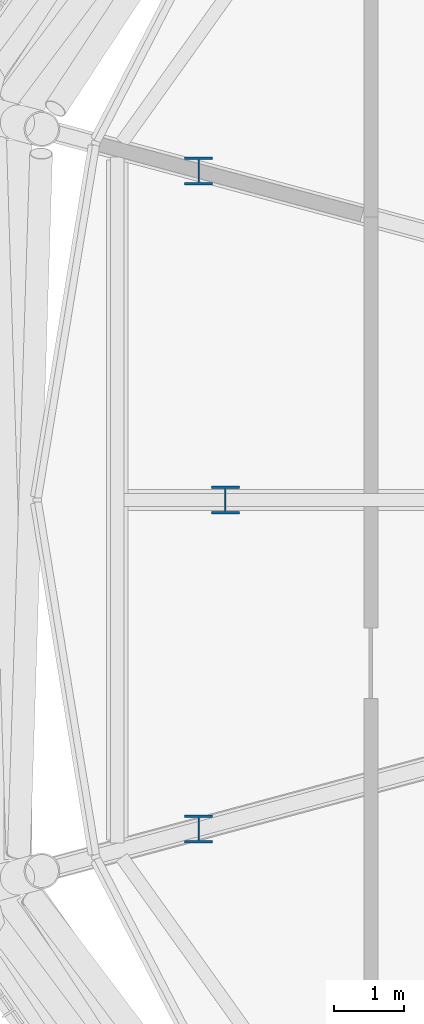
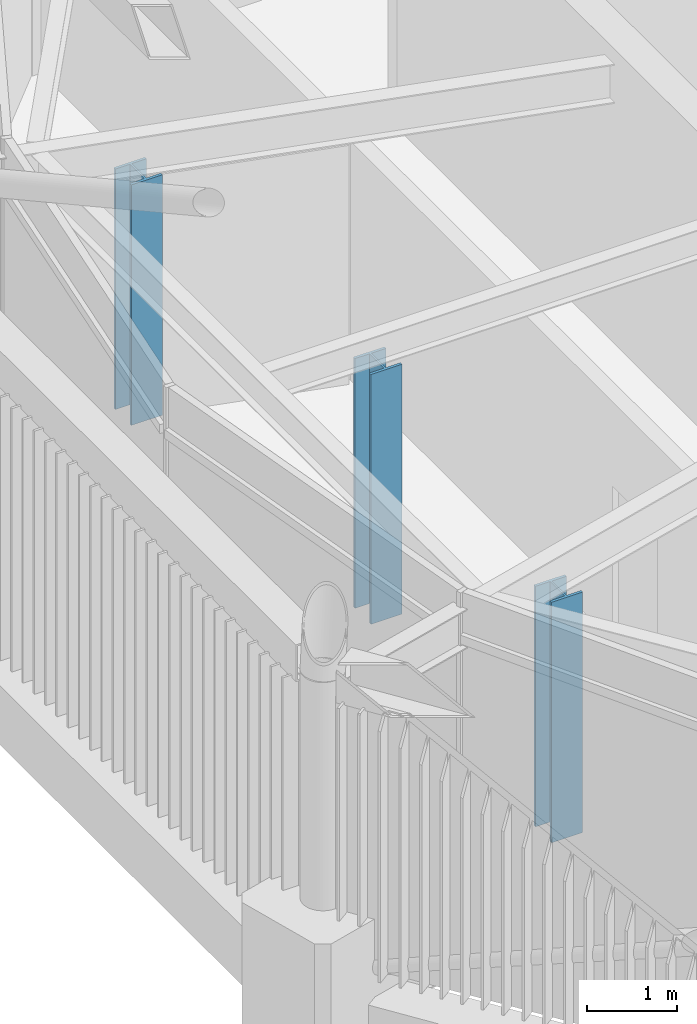
# One storey, part 1 of 71: 3 columns.
"""IFC4 building model written with IfcOpenShell, lengths in metres."""

from ifc_helpers import new_model, si_unit, direction, frame, origin, origin_2d, place, context, subcontext, project, spatial, i_section, extrude, material, material_profile, profile_set, type_object, element, save


model = new_model("IFC4")

# Units and contexts
model_context = context("Model", 3, precision=1e-05, world=origin(), true_north=direction((0.0, 1.0)))
body_context = subcontext(model_context, "Body", "Model", "MODEL_VIEW")
ifc_project = project(units=[si_unit("LENGTHUNIT", "METRE"), si_unit("AREAUNIT", "SQUARE_METRE"), si_unit("VOLUMEUNIT", "CUBIC_METRE"), si_unit("PLANEANGLEUNIT", "RADIAN"), si_unit("MASSUNIT", "GRAM", prefix="KILO")], contexts=[model_context])

# Site, building, storey
site_placement = place(None, origin())
site = spatial("IfcSite", under=ifc_project, at=site_placement, CompositionType="ELEMENT")
building_placement = place(site_placement, origin())
building = spatial("IfcBuilding", under=site, at=building_placement, Name="Rimbun Link Towers", CompositionType="ELEMENT")
storey_placement = place(building_placement, frame((0.0, 0.0, 267.60009765625)))
storey = spatial("IfcBuildingStorey", under=building, at=storey_placement, Name="L65", CompositionType="ELEMENT", Elevation=267.60009765625)

# Columns
ifc_material = material(Name="Steel S355J2", Category="steel")
ifc_material_profile = material_profile(ifc_material, i_section(OverallWidth=0.39892578125, OverallDepth=0.3935546875, WebThickness=0.022705078125, FlangeThickness=0.03662109375, at=origin_2d()), Name="UC 356x406x287")
ifc_profile_set = profile_set([ifc_material_profile], Name="Steel S355J2")
column_type = type_object("IfcColumnType", Name="UC 356x406x287", PredefinedType="COLUMN", material=ifc_profile_set)
column_1_placement = place(storey_placement, frame((-49.197998046875, 4.67529296875, 0.0), z_axis=(0.0, 0.0, 1.0), x_axis=(1.0, 0.0, 0.0)))
element("IfcColumn", 1, at=column_1_placement, inside=storey, type_object=column_type, Name="Crease post T1 L64 11", PredefinedType="COLUMN", context=body_context, shape_type="SweptSolid", body=[
    extrude(i_section(OverallWidth=0.39892578125, OverallDepth=0.3935546875, WebThickness=0.022705078125, FlangeThickness=0.03662109375, at=origin_2d()), origin(), (0.0, 0.0, 1.0), 3.266845703125),
])
column_2_placement = place(storey_placement, frame((-48.818603515625, 0.0, 0.0), z_axis=(0.0, 0.0, 1.0), x_axis=(1.0, 0.0, 0.0)))
element("IfcColumn", 2, at=column_2_placement, inside=storey, type_object=column_type, Name="Crease post T1 L64 12", PredefinedType="COLUMN", context=body_context, shape_type="SweptSolid", body=[
    extrude(i_section(OverallWidth=0.39892578125, OverallDepth=0.3935546875, WebThickness=0.022705078125, FlangeThickness=0.03662109375, at=origin_2d()), origin(), (0.0, 0.0, 1.0), 3.3935546875),
])
column_3_placement = place(storey_placement, frame((-49.197998046875, -4.67529296875, 0.0), z_axis=(0.0, 0.0, 1.0), x_axis=(1.0, 0.0, 0.0)))
element("IfcColumn", 3, at=column_3_placement, inside=storey, type_object=column_type, Name="Crease post T1 L64 13", PredefinedType="COLUMN", context=body_context, shape_type="SweptSolid", body=[
    extrude(i_section(OverallWidth=0.39892578125, OverallDepth=0.3935546875, WebThickness=0.022705078125, FlangeThickness=0.03662109375, at=origin_2d()), origin(), (0.0, 0.0, 1.0), 3.266845703125),
])

save(model, "model.ifc")
